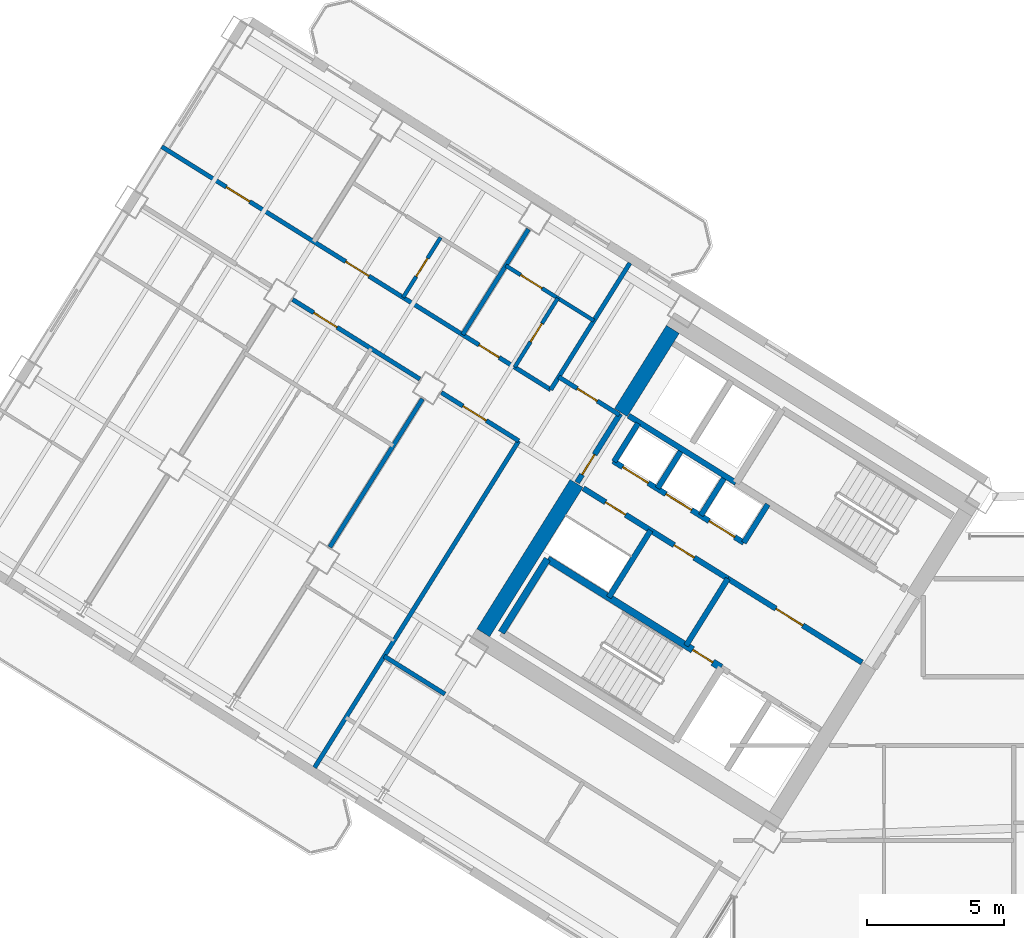
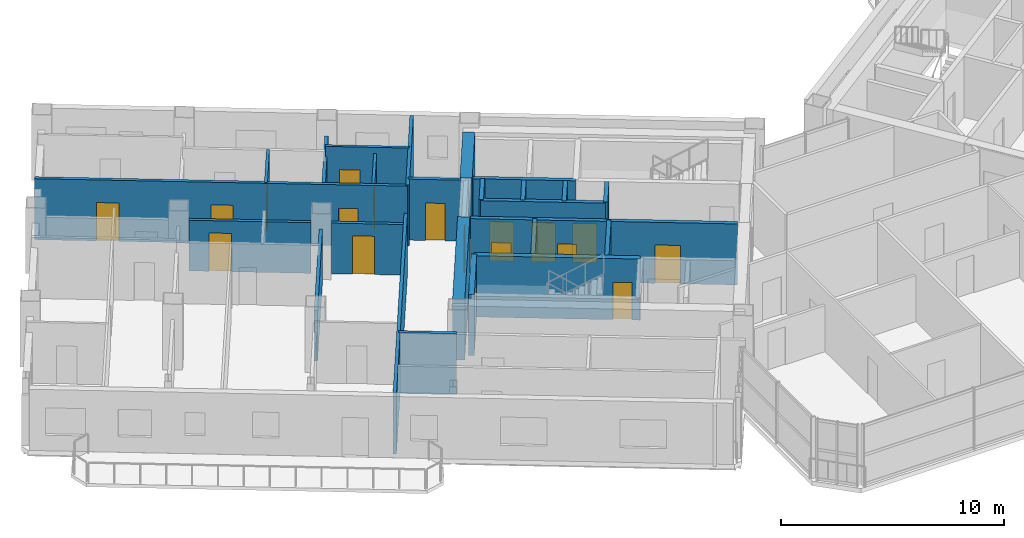
# One storey, part 17 of 25: 27 walls, 17 doors, 17 openings.
"""IFC4 building model written with IfcOpenShell, lengths in metres."""

from ifc_helpers import new_model, si_unit, direction, frame, frame_2d, origin, place, context, subcontext, project, spatial, rectangle, extrude, source, transform, mapped, material, layer, layer_set, type_object, element, fill, save


model = new_model("IFC4")

# Units and contexts
model_context = context("Model", 3, precision=1e-05, world=origin(), true_north=direction((0.0, 1.0)))
body_context = subcontext(model_context, "Body", "Model", "MODEL_VIEW")
ifc_project = project(units=[si_unit("LENGTHUNIT", "METRE"), si_unit("AREAUNIT", "SQUARE_METRE"), si_unit("VOLUMEUNIT", "CUBIC_METRE"), si_unit("PLANEANGLEUNIT", "RADIAN"), si_unit("MASSUNIT", "GRAM", prefix="KILO")], contexts=[model_context])

# Site, building, storey
site_placement = place(None, origin())
site = spatial("IfcSite", under=ifc_project, at=site_placement, CompositionType="ELEMENT")
building_placement = place(site_placement, origin())
building = spatial("IfcBuilding", under=site, at=building_placement, Name="Tlacorven Tower", CompositionType="ELEMENT")
storey_placement = place(building_placement, frame((0.0, 0.0, 162.300048828125)))
storey = spatial("IfcBuildingStorey", under=building, at=storey_placement, Name="L41", CompositionType="ELEMENT", Elevation=162.300048828125)

# Walls
ifc_material_1 = material(Name="Concrete C60/75", Category="concrete")
ifc_layer_1 = layer(ifc_material_1, 0.550048828125)
ifc_layer_set_1 = layer_set([ifc_layer_1], Name="Concrete C60/75")
wall_type_1 = type_object("IfcWallType", Name="WL-COR-550", PredefinedType="SHEAR", material=ifc_layer_set_1)
wall_1_placement = place(storey_placement, frame((29.517333984375, 30.59423828125, 0.0), z_axis=(0.0, 0.0, 1.0), x_axis=(-0.529906864564, -0.848055844204, 0.0)))
element("IfcWall", 1, at=wall_1_placement, inside=storey, type_object=wall_type_1, Name="L41 W core end wall E2.1", PredefinedType="SHEAR", context=body_context, shape_type="SweptSolid", body=[
    extrude(rectangle(XDim=3.5751953125, YDim=0.550048828125, at=frame_2d((1.78759765625, 0.0))), origin(), (0.0, 0.0, 1.0), 3.349853515625),
])
wall_2_placement = place(storey_placement, frame((26.006591796875, 24.975830078125, 0.0), z_axis=(0.0, 0.0, 1.0), x_axis=(-0.529923795287, -0.848045264823, 0.0)))
element("IfcWall", 2, at=wall_2_placement, inside=storey, type_object=wall_type_1, Name="L41 W core end wall E2.2", PredefinedType="SHEAR", context=body_context, shape_type="SweptSolid", body=[
    extrude(rectangle(XDim=6.425048828125, YDim=0.550048828125, at=frame_2d((3.21240234375, 0.0))), origin(), (0.0, 0.0, 1.0), 3.349853515625),
])

# Wall, opening, door
ifc_material_2 = material(Name="Gypsum plasterboard acoustic partition", Category="gypsum")
ifc_layer_2 = layer(ifc_material_2, 0.159912109375)
ifc_layer_set_2 = layer_set([ifc_layer_2], Name="Gypsum plasterboard acoustic partition")
wall_type_2 = type_object("IfcWallType", Name="WL-DEM-160", PredefinedType="PARTITIONING", material=ifc_layer_set_2)
wall_3_placement = place(storey_placement, frame((27.56982421875, 27.4775390625, 0.0), z_axis=(0.0, 0.0, 1.0), x_axis=(-0.848050851465, 0.529914854792, 0.0)))
wall_3 = element("IfcWall", 3, at=wall_3_placement, inside=storey, type_object=wall_type_2, Name="L41 partition 43", PredefinedType="PARTITIONING", context=body_context, shape_type="SweptSolid", body=[
    extrude(rectangle(XDim=2.60986328125, YDim=0.159912109375, at=frame_2d((1.304931640625, 0.0))), origin(), (0.0, 0.0, 1.0), 3.33984375),
])
opening_1_placement = place(wall_3_placement, frame((0.949951171875, 0.0, 0.0)))
opening_1 = element("IfcOpeningElement", 4, at=opening_1_placement, cuts=wall_3, Name="Opening D19", PredefinedType="OPENING", context=body_context, shape_type="SweptSolid", body=[
    extrude(rectangle(XDim=0.860107421875, YDim=2.050048828125, at=frame_2d((0.43017578125, 1.02490234375))), frame((0.0, 0.08984375, 0.0), z_axis=(0.0, -1.0, 0.0), x_axis=(1.0, 0.0, 0.0)), (0.0, 0.0, 1.0), 0.179931640625),
])
ifc_material_3 = material(Name="Fire-rated steel door assembly", Category="steel")
door_type_1 = type_object("IfcDoorType", Name="DR-RSR-FD60-0860", OperationType="NOTDEFINED", PredefinedType="DOOR", material=ifc_material_3)
shared_shape_1 = source(origin(), body_context, "Body", "SweptSolid", [
    extrude(rectangle(XDim=0.860107421875, YDim=2.050048828125, at=frame_2d((0.43017578125, 1.02490234375))), frame((0.0, 0.02490234375, 0.0), z_axis=(0.0, -1.0, 0.0), x_axis=(1.0, 0.0, 0.0)), (0.0, 0.0, 1.0), 0.050048828125),
])
door_1_placement = place(opening_1_placement, frame((0.860107421875, 0.0, 0.0), z_axis=(0.0, 0.0, 1.0), x_axis=(-1.0, 0.0, 0.0)))
door_1 = element("IfcDoor", 5, at=door_1_placement, inside=storey, type_object=door_type_1, Name="L41 door 020", OperationType="SINGLE_SWING_LEFT", OverallHeight=2.050048828125, OverallWidth=0.860107421875, PredefinedType="DOOR", context=body_context, shape_type="MappedRepresentation", body=[
    mapped(shared_shape_1, transform((0.0, 0.0, 0.0), scale=1.0)),
])
fill(opening_1, door_1)

# Walls
wall_4_placement = place(storey_placement, frame((21.20556640625, 17.29248046875, 0.0), z_axis=(0.0, 0.0, 1.0), x_axis=(-0.848050851465, 0.529914854792, 0.0)))
element("IfcWall", 6, at=wall_4_placement, inside=storey, type_object=wall_type_2, Name="L41 partition 44", PredefinedType="PARTITIONING", context=body_context, shape_type="SweptSolid", body=[
    extrude(rectangle(XDim=2.60986328125, YDim=0.159912109375, at=frame_2d((1.304931640625, 0.0))), origin(), (0.0, 0.0, 1.0), 3.33984375),
])
wall_5_placement = place(storey_placement, frame((27.952880859375, 33.01611328125, 0.0), z_axis=(0.0, 0.0, 1.0), x_axis=(-0.529906322364, -0.848056182997, 0.0)))
element("IfcWall", 7, at=wall_5_placement, inside=storey, type_object=wall_type_2, Name="L41 partition 45", PredefinedType="PARTITIONING", context=body_context, shape_type="SweptSolid", body=[
    extrude(rectangle(XDim=5.449951171875, YDim=0.159912109375, at=frame_2d((2.72509765625, 0.0))), origin(), (0.0, 0.0, 1.0), 3.33984375),
])
wall_6_placement = place(storey_placement, frame((23.899169921875, 26.528564453125, 0.0), z_axis=(0.0, 0.0, 1.0), x_axis=(-0.529917716469, -0.848049063305, 0.0)))
element("IfcWall", 8, at=wall_6_placement, inside=storey, type_object=wall_type_2, Name="L41 partition 46", PredefinedType="PARTITIONING", context=body_context, shape_type="SweptSolid", body=[
    extrude(rectangle(XDim=14.050048828125, YDim=0.159912109375, at=frame_2d((7.02490234375, 0.0))), origin(), (0.0, 0.0, 1.0), 3.33984375),
])

# Wall, openings, doors
wall_7_placement = place(storey_placement, frame((25.06494140625, 28.394287109375, 0.0), z_axis=(0.0, 0.0, 1.0), x_axis=(-0.848048310262, 0.529918921593, 0.0)))
wall_7 = element("IfcWall", 9, at=wall_7_placement, inside=storey, type_object=wall_type_2, Name="L41 Wing W Corridor South Wall", PredefinedType="PARTITIONING", context=body_context, shape_type="SweptSolid", body=[
    extrude(rectangle(XDim=16.72998046875, YDim=0.159912109375, at=frame_2d((8.364990234375, 0.0))), origin(), (0.0, 0.0, 1.0), 3.33984375),
])
opening_2_placement = place(wall_7_placement, frame((2.219970703125, 0.0, 0.0)))
opening_2 = element("IfcOpeningElement", 10, at=opening_2_placement, cuts=wall_7, Name="Opening D19", PredefinedType="OPENING", context=body_context, shape_type="SweptSolid", body=[
    extrude(rectangle(XDim=0.860107421875, YDim=2.050048828125, at=frame_2d((0.43017578125, 1.02490234375))), frame((0.0, 0.08984375, 0.0), z_axis=(0.0, -1.0, 0.0), x_axis=(1.0, 0.0, 0.0)), (0.0, 0.0, 1.0), 0.179931640625),
])
opening_3_placement = place(wall_7_placement, frame((7.820068359375, 0.0, 0.0)))
opening_3 = element("IfcOpeningElement", 11, at=opening_3_placement, cuts=wall_7, Name="Opening D11", PredefinedType="OPENING", context=body_context, shape_type="SweptSolid", body=[
    extrude(rectangle(XDim=1.0, YDim=2.10009765625, at=frame_2d((0.5, 1.050048828125))), frame((0.0, 0.08984375, 0.0), z_axis=(0.0, -1.0, 0.0), x_axis=(1.0, 0.0, 0.0)), (0.0, 0.0, 1.0), 0.179931640625),
])
opening_4_placement = place(wall_7_placement, frame((12.949951171875, 0.0, 0.0)))
opening_4 = element("IfcOpeningElement", 12, at=opening_4_placement, cuts=wall_7, Name="Opening D11", PredefinedType="OPENING", context=body_context, shape_type="SweptSolid", body=[
    extrude(rectangle(XDim=1.0, YDim=2.10009765625, at=frame_2d((0.5, 1.050048828125))), frame((0.0, 0.08984375, 0.0), z_axis=(0.0, -1.0, 0.0), x_axis=(1.0, 0.0, 0.0)), (0.0, 0.0, 1.0), 0.179931640625),
])
door_2_placement = place(opening_2_placement, origin())
door_2 = element("IfcDoor", 13, at=door_2_placement, inside=storey, type_object=door_type_1, Name="L41 door 034", OperationType="SINGLE_SWING_RIGHT", OverallHeight=2.050048828125, OverallWidth=0.860107421875, PredefinedType="DOOR", context=body_context, shape_type="MappedRepresentation", body=[
    mapped(shared_shape_1, transform((0.0, 0.0, 0.0), scale=1.0)),
])
fill(opening_2, door_2)
door_type_2 = type_object("IfcDoorType", Name="DR-FLT-FD60-1000", OperationType="NOTDEFINED", PredefinedType="DOOR", material=ifc_material_3)
shared_shape_2 = source(origin(), body_context, "Body", "SweptSolid", [
    extrude(rectangle(XDim=1.0, YDim=2.10009765625, at=frame_2d((0.5, 1.050048828125))), frame((0.0, 0.02490234375, 0.0), z_axis=(0.0, -1.0, 0.0), x_axis=(1.0, 0.0, 0.0)), (0.0, 0.0, 1.0), 0.050048828125),
])
door_3_placement = place(opening_3_placement, origin())
door_3 = element("IfcDoor", 14, at=door_3_placement, inside=storey, type_object=door_type_2, Name="L41 door 037", OperationType="SINGLE_SWING_LEFT", OverallHeight=2.10009765625, OverallWidth=1.0, PredefinedType="DOOR", context=body_context, shape_type="MappedRepresentation", body=[
    mapped(shared_shape_2, transform((0.0, 0.0, 0.0), scale=1.0)),
])
fill(opening_3, door_3)
door_4_placement = place(opening_4_placement, origin())
door_4 = element("IfcDoor", 15, at=door_4_placement, inside=storey, type_object=door_type_2, Name="L41 door 040", OperationType="SINGLE_SWING_RIGHT", OverallHeight=2.10009765625, OverallWidth=1.0, PredefinedType="DOOR", context=body_context, shape_type="MappedRepresentation", body=[
    mapped(shared_shape_2, transform((0.0, 0.0, 0.0), scale=1.0)),
])
fill(opening_4, door_4)

# Wall, opening, door
wall_8_placement = place(storey_placement, frame((23.899169921875, 26.528564453125, 0.0), z_axis=(0.0, 0.0, 1.0), x_axis=(-0.848064240775, 0.529893426567, 0.0)))
wall_8 = element("IfcWall", 16, at=wall_8_placement, inside=storey, type_object=wall_type_2, Name="L41 Wing W Corridor North Wall", PredefinedType="PARTITIONING", context=body_context, shape_type="SweptSolid", body=[
    extrude(rectangle(XDim=3.327880859375, YDim=0.159912109375, at=frame_2d((1.6640625, 0.0))), origin(), (0.0, 0.0, 1.0), 2.77490234375),
])
opening_5_placement = place(wall_8_placement, frame((1.39501953125, 0.0, 0.0)))
opening_5 = element("IfcOpeningElement", 17, at=opening_5_placement, cuts=wall_8, Name="Opening D11", PredefinedType="OPENING", context=body_context, shape_type="SweptSolid", body=[
    extrude(rectangle(XDim=1.0, YDim=2.10009765625, at=frame_2d((0.5, 1.050048828125))), frame((0.0, 0.08984375, 0.0), z_axis=(0.0, -1.0, 0.0), x_axis=(1.0, 0.0, 0.0)), (0.0, 0.0, 1.0), 0.179931640625),
])
door_5_placement = place(opening_5_placement, origin())
door_5 = element("IfcDoor", 18, at=door_5_placement, inside=storey, type_object=door_type_2, Name="L41 door 022", OperationType="SINGLE_SWING_LEFT", OverallHeight=2.10009765625, OverallWidth=1.0, PredefinedType="DOOR", context=body_context, shape_type="MappedRepresentation", body=[
    mapped(shared_shape_2, transform((0.0, 0.0, 0.0), scale=1.0)),
])
fill(opening_5, door_5)

wall_9_placement = place(storey_placement, frame((20.293212890625, 28.78173828125, 0.0), z_axis=(0.0, 0.0, 1.0), x_axis=(-0.848040881926, 0.529930809241, 0.0)))
wall_9 = element("IfcWall", 19, at=wall_9_placement, inside=storey, type_object=wall_type_2, Name="L41 Wing W Corridor North Wall", PredefinedType="PARTITIONING", context=body_context, shape_type="SweptSolid", body=[
    extrude(rectangle(XDim=5.475830078125, YDim=0.159912109375, at=frame_2d((2.73779296875, 0.0))), origin(), (0.0, 0.0, 1.0), 2.77490234375),
])
opening_6_placement = place(wall_9_placement, frame((3.568115234375, 0.0, 0.0)))
opening_6 = element("IfcOpeningElement", 20, at=opening_6_placement, cuts=wall_9, Name="Opening D11", PredefinedType="OPENING", context=body_context, shape_type="SweptSolid", body=[
    extrude(rectangle(XDim=1.0, YDim=2.10009765625, at=frame_2d((0.5, 1.050048828125))), frame((0.0, 0.08984375, 0.0), z_axis=(0.0, -1.0, 0.0), x_axis=(1.0, 0.0, 0.0)), (0.0, 0.0, 1.0), 0.179931640625),
])
door_6_placement = place(opening_6_placement, origin())
door_6 = element("IfcDoor", 21, at=door_6_placement, inside=storey, type_object=door_type_2, Name="L41 door 025", OperationType="SINGLE_SWING_LEFT", OverallHeight=2.10009765625, OverallWidth=1.0, PredefinedType="DOOR", context=body_context, shape_type="MappedRepresentation", body=[
    mapped(shared_shape_2, transform((0.0, 0.0, 0.0), scale=1.0)),
])
fill(opening_6, door_6)

# Walls
wall_10_placement = place(storey_placement, frame((20.38720703125, 28.060302734375, 0.0), z_axis=(0.0, 0.0, 1.0), x_axis=(-0.529902564924, -0.848058530814, 0.0)))
element("IfcWall", 22, at=wall_10_placement, inside=storey, type_object=wall_type_2, Name="L41 WN Demising Wall 1", PredefinedType="PARTITIONING", context=body_context, shape_type="SweptSolid", body=[
    extrude(rectangle(XDim=6.3759765625, YDim=0.159912109375, at=frame_2d((3.18798828125, 0.0))), origin(), (0.0, 0.0, 1.0), 2.77490234375),
])
wall_11_placement = place(storey_placement, frame((24.255615234375, 34.2509765625, 0.0), z_axis=(0.0, 0.0, 1.0), x_axis=(-0.529926399231, -0.848043637673, 0.0)))
element("IfcWall", 23, at=wall_11_placement, inside=storey, type_object=wall_type_2, Name="L41 WS Demising Wall 1", PredefinedType="PARTITIONING", context=body_context, shape_type="SweptSolid", body=[
    extrude(rectangle(XDim=4.537841796875, YDim=0.159912109375, at=frame_2d((2.26904296875, 0.0))), origin(), (0.0, 0.0, 1.0), 2.77490234375),
])

# Wall, opening, door
ifc_material_4 = material(Name="Moisture-resistant gypsum plumbing wall", Category="gypsum")
ifc_layer_3 = layer(ifc_material_4, 0.139892578125)
ifc_layer_set_3 = layer_set([ifc_layer_3], Name="Moisture-resistant gypsum plumbing wall")
wall_type_3 = type_object("IfcWallType", Name="WL-PLM-140", PredefinedType="PLUMBINGWALL", material=ifc_layer_set_3)
wall_12_placement = place(storey_placement, frame((26.638916015625, 30.912841796875, 0.0), z_axis=(0.0, 0.0, 1.0), x_axis=(-0.84803087207, 0.529946827537, 0.0)))
wall_12 = element("IfcWall", 24, at=wall_12_placement, inside=storey, type_object=wall_type_3, Name="L41 partition 62", PredefinedType="PLUMBINGWALL", context=body_context, shape_type="SweptSolid", body=[
    extrude(rectangle(XDim=3.7900390625, YDim=0.139892578125, at=frame_2d((1.89501953125, 0.0))), origin(), (0.0, 0.0, 1.0), 3.33984375),
])
opening_7_placement = place(wall_12_placement, frame((2.22998046875, 0.0, 0.0)))
opening_7 = element("IfcOpeningElement", 25, at=opening_7_placement, cuts=wall_12, Name="Opening D12", PredefinedType="OPENING", context=body_context, shape_type="SweptSolid", body=[
    extrude(rectangle(XDim=0.919921875, YDim=2.080078125, at=frame_2d((0.4599609375, 1.0400390625))), frame((0.0, 0.080078125, 0.0), z_axis=(0.0, -1.0, 0.0), x_axis=(1.0, 0.0, 0.0)), (0.0, 0.0, 1.0), 0.159912109375),
])
ifc_material_5 = material(Name="Powder-coated aluminium and timber door", Category="wood")
door_type_3 = type_object("IfcDoorType", Name="DR-INT-ROOM-0920", OperationType="NOTDEFINED", PredefinedType="DOOR", material=ifc_material_5)
shared_shape_3 = source(origin(), body_context, "Body", "SweptSolid", [
    extrude(rectangle(XDim=0.919921875, YDim=2.080078125, at=frame_2d((0.4599609375, 1.0400390625))), frame((0.0, 0.02490234375, 0.0), z_axis=(0.0, -1.0, 0.0), x_axis=(1.0, 0.0, 0.0)), (0.0, 0.0, 1.0), 0.050048828125),
])
door_7_placement = place(opening_7_placement, origin())
door_7 = element("IfcDoor", 26, at=door_7_placement, inside=storey, type_object=door_type_3, Name="L41 door 035", OperationType="SINGLE_SWING_LEFT", OverallHeight=2.080078125, OverallWidth=0.919921875, PredefinedType="DOOR", context=body_context, shape_type="MappedRepresentation", body=[
    mapped(shared_shape_3, transform((0.0, 0.0, 0.0), scale=1.0)),
])
fill(opening_7, door_7)

wall_13_placement = place(storey_placement, frame((25.32421875, 31.734375, 0.0), z_axis=(0.0, 0.0, 1.0), x_axis=(-0.529873322326, -0.848076802116, 0.0)))
wall_13 = element("IfcWall", 27, at=wall_13_placement, inside=storey, type_object=wall_type_3, Name="L41 partition 63", PredefinedType="PLUMBINGWALL", context=body_context, shape_type="SweptSolid", body=[
    extrude(rectangle(XDim=2.969970703125, YDim=0.139892578125, at=frame_2d((1.48486328125, 0.0))), origin(), (0.0, 0.0, 1.0), 2.994873046875),
])
opening_8_placement = place(wall_13_placement, frame((1.094970703125, 0.0, 0.0)))
opening_8 = element("IfcOpeningElement", 28, at=opening_8_placement, cuts=wall_13, Name="Opening D22", PredefinedType="OPENING", context=body_context, shape_type="SweptSolid", body=[
    extrude(rectangle(XDim=0.780029296875, YDim=2.050048828125, at=frame_2d((0.39013671875, 1.02490234375))), frame((0.0, 0.080078125, 0.0), z_axis=(0.0, -1.0, 0.0), x_axis=(1.0, 0.0, 0.0)), (0.0, 0.0, 1.0), 0.159912109375),
])
door_type_4 = type_object("IfcDoorType", Name="DR-INT-WET-0780", OperationType="NOTDEFINED", PredefinedType="DOOR", material=ifc_material_5)
shared_shape_4 = source(origin(), body_context, "Body", "SweptSolid", [
    extrude(rectangle(XDim=0.780029296875, YDim=2.050048828125, at=frame_2d((0.39013671875, 1.02490234375))), frame((0.0, 0.02490234375, 0.0), z_axis=(0.0, -1.0, 0.0), x_axis=(1.0, 0.0, 0.0)), (0.0, 0.0, 1.0), 0.050048828125),
])
door_8_placement = place(opening_8_placement, origin())
door_8 = element("IfcDoor", 29, at=door_8_placement, inside=storey, type_object=door_type_4, Name="L41 door 036", OperationType="SINGLE_SWING_RIGHT", OverallHeight=2.050048828125, OverallWidth=0.780029296875, PredefinedType="DOOR", context=body_context, shape_type="MappedRepresentation", body=[
    mapped(shared_shape_4, transform((0.0, 0.0, 0.0), scale=1.0)),
])
fill(opening_8, door_8)

wall_14_placement = place(storey_placement, frame((21.047119140625, 33.947265625, 0.0), z_axis=(0.0, 0.0, 1.0), x_axis=(-0.529913878929, -0.848051461244, 0.0)))
wall_14 = element("IfcWall", 30, at=wall_14_placement, inside=storey, type_object=wall_type_3, Name="L41 partition 66", PredefinedType="PLUMBINGWALL", context=body_context, shape_type="SweptSolid", body=[
    extrude(rectangle(XDim=2.580078125, YDim=0.139892578125, at=frame_2d((1.2900390625, 0.0))), origin(), (0.0, 0.0, 1.0), 3.33984375),
])
opening_9_placement = place(wall_14_placement, frame((0.89990234375, 0.0, 0.0)))
opening_9 = element("IfcOpeningElement", 31, at=opening_9_placement, cuts=wall_14, Name="Opening D22", PredefinedType="OPENING", context=body_context, shape_type="SweptSolid", body=[
    extrude(rectangle(XDim=0.780029296875, YDim=2.050048828125, at=frame_2d((0.39013671875, 1.02490234375))), frame((0.0, 0.080078125, 0.0), z_axis=(0.0, -1.0, 0.0), x_axis=(1.0, 0.0, 0.0)), (0.0, 0.0, 1.0), 0.159912109375),
])
door_9_placement = place(opening_9_placement, origin())
door_9 = element("IfcDoor", 32, at=door_9_placement, inside=storey, type_object=door_type_4, Name="L41 door 039", OperationType="SINGLE_SWING_LEFT", OverallHeight=2.050048828125, OverallWidth=0.780029296875, PredefinedType="DOOR", context=body_context, shape_type="MappedRepresentation", body=[
    mapped(shared_shape_4, transform((0.0, 0.0, 0.0), scale=1.0)),
])
fill(opening_9, door_9)

ifc_material_6 = material(Name="Concrete C40/50", Category="concrete")
ifc_layer_4 = layer(ifc_material_6, 0.199951171875)
ifc_layer_set_4 = layer_set([ifc_layer_4], Name="Concrete C40/50")
wall_type_4 = type_object("IfcWallType", Name="WL-SHF-200", PredefinedType="STANDARD", material=ifc_layer_set_4)
wall_15_placement = place(storey_placement, frame((36.416748046875, 18.447265625, 0.0), z_axis=(0.0, 0.0, 1.0), x_axis=(-0.848064879198, 0.529892404805, 0.0)))
wall_15 = element("IfcWall", 33, at=wall_15_placement, inside=storey, type_object=wall_type_4, Name="L41 Core W Smoke Lobby Wall", PredefinedType="STANDARD", context=body_context, shape_type="SweptSolid", body=[
    extrude(rectangle(XDim=5.76806640625, YDim=0.199951171875, at=frame_2d((2.884033203125, 0.0))), origin(), (0.0, 0.0, 1.0), 3.33984375),
])
opening_10_placement = place(wall_15_placement, frame((2.548095703125, 0.0, 0.0)))
opening_10 = element("IfcOpeningElement", 34, at=opening_10_placement, cuts=wall_15, Name="Opening D09", PredefinedType="OPENING", context=body_context, shape_type="SweptSolid", body=[
    extrude(rectangle(XDim=1.14990234375, YDim=2.10009765625, at=frame_2d((0.574951171875, 1.050048828125))), frame((0.0, 0.10986328125, 0.0), z_axis=(0.0, -1.0, 0.0), x_axis=(1.0, 0.0, 0.0)), (0.0, 0.0, 1.0), 0.219970703125),
])
door_type_5 = type_object("IfcDoorType", Name="DR-FFL-FD60-1150", OperationType="NOTDEFINED", PredefinedType="DOOR", material=ifc_material_3)
shared_shape_5 = source(origin(), body_context, "Body", "SweptSolid", [
    extrude(rectangle(XDim=1.14990234375, YDim=2.10009765625, at=frame_2d((0.574951171875, 1.050048828125))), frame((0.0, 0.02490234375, 0.0), z_axis=(0.0, -1.0, 0.0), x_axis=(1.0, 0.0, 0.0)), (0.0, 0.0, 1.0), 0.050048828125),
])
door_10_placement = place(opening_10_placement, origin())
door_10 = element("IfcDoor", 35, at=door_10_placement, inside=storey, type_object=door_type_5, Name="L41 Firefighting Lobby W Fire Door", OperationType="SINGLE_SWING_LEFT", OverallHeight=2.10009765625, OverallWidth=1.14990234375, PredefinedType="DOOR", context=body_context, shape_type="MappedRepresentation", body=[
    mapped(shared_shape_5, transform((0.0, 0.0, 0.0), scale=1.0)),
])
fill(opening_10, door_10)

# Wall
wall_16_placement = place(storey_placement, frame((31.82177734375, 24.99755859375, 0.0), z_axis=(0.0, 0.0, 1.0), x_axis=(-0.848036912365, 0.52993716162, 0.0)))
element("IfcWall", 36, at=wall_16_placement, inside=storey, type_object=wall_type_4, Name="L41 Core W South Lift Shaft Wall", PredefinedType="STANDARD", context=body_context, shape_type="SweptSolid", body=[
    extrude(rectangle(XDim=4.617919921875, YDim=0.199951171875, at=frame_2d((2.30908203125, 0.0))), origin(), (0.0, 0.0, 1.0), 3.33984375),
])

# Wall, openings, doors
wall_17_placement = place(storey_placement, frame((32.108154296875, 22.81396484375, 0.0), z_axis=(0.0, 0.0, 1.0), x_axis=(-0.848042229521, 0.529928652696, 0.0)))
wall_17 = element("IfcWall", 37, at=wall_17_placement, inside=storey, type_object=wall_type_4, Name="L41 partition 11", PredefinedType="STANDARD", context=body_context, shape_type="SweptSolid", body=[
    extrude(rectangle(XDim=5.6201171875, YDim=0.199951171875, at=frame_2d((2.81005859375, 0.0))), origin(), (0.0, 0.0, 1.0), 3.33984375),
])
opening_11_placement = place(wall_17_placement, frame((0.389892578125, 0.0, 0.0)))
opening_11 = element("IfcOpeningElement", 38, at=opening_11_placement, cuts=wall_17, Name="Opening LD01", PredefinedType="OPENING", context=body_context, shape_type="SweptSolid", body=[
    extrude(rectangle(XDim=1.10009765625, YDim=2.14990234375, at=frame_2d((0.550048828125, 1.074951171875))), frame((0.0, 0.10986328125, 0.0), z_axis=(0.0, -1.0, 0.0), x_axis=(1.0, 0.0, 0.0)), (0.0, 0.0, 1.0), 0.219970703125),
])
opening_12_placement = place(wall_17_placement, frame((2.25, 0.0, 0.0)))
opening_12 = element("IfcOpeningElement", 39, at=opening_12_placement, cuts=wall_17, Name="Opening LD01", PredefinedType="OPENING", context=body_context, shape_type="SweptSolid", body=[
    extrude(rectangle(XDim=1.10009765625, YDim=2.14990234375, at=frame_2d((0.550048828125, 1.074951171875))), frame((0.0, 0.10986328125, 0.0), z_axis=(0.0, -1.0, 0.0), x_axis=(1.0, 0.0, 0.0)), (0.0, 0.0, 1.0), 0.219970703125),
])
opening_13_placement = place(wall_17_placement, frame((4.110107421875, 0.0, 0.0)))
opening_13 = element("IfcOpeningElement", 40, at=opening_13_placement, cuts=wall_17, Name="Opening LD01", PredefinedType="OPENING", context=body_context, shape_type="SweptSolid", body=[
    extrude(rectangle(XDim=1.10009765625, YDim=2.14990234375, at=frame_2d((0.550048828125, 1.074951171875))), frame((0.0, 0.10986328125, 0.0), z_axis=(0.0, -1.0, 0.0), x_axis=(1.0, 0.0, 0.0)), (0.0, 0.0, 1.0), 0.219970703125),
])
door_type_6 = type_object("IfcDoorType", Name="DR-LFT-SLID-1100", OperationType="DOUBLE_DOOR_SLIDING", PredefinedType="DOOR", material=ifc_material_3)
shared_shape_6 = source(origin(), body_context, "Body", "SweptSolid", [
    extrude(rectangle(XDim=1.10009765625, YDim=2.14990234375, at=frame_2d((0.550048828125, 1.074951171875))), frame((0.0, 0.02490234375, 0.0), z_axis=(0.0, -1.0, 0.0), x_axis=(1.0, 0.0, 0.0)), (0.0, 0.0, 1.0), 0.050048828125),
])
door_11_placement = place(opening_11_placement, origin())
door_11 = element("IfcDoor", 41, at=door_11_placement, inside=storey, type_object=door_type_6, Name="L41 Lift PL-M1 Sliding Landing Door", OperationType="DOUBLE_DOOR_SLIDING", OverallHeight=2.14990234375, OverallWidth=1.10009765625, PredefinedType="DOOR", context=body_context, shape_type="MappedRepresentation", body=[
    mapped(shared_shape_6, transform((0.0, 0.0, 0.0), scale=1.0)),
])
fill(opening_11, door_11)
door_12_placement = place(opening_12_placement, origin())
door_12 = element("IfcDoor", 42, at=door_12_placement, inside=storey, type_object=door_type_6, Name="L41 Lift PL-M2 Sliding Landing Door", OperationType="DOUBLE_DOOR_SLIDING", OverallHeight=2.14990234375, OverallWidth=1.10009765625, PredefinedType="DOOR", context=body_context, shape_type="MappedRepresentation", body=[
    mapped(shared_shape_6, transform((0.0, 0.0, 0.0), scale=1.0)),
])
fill(opening_12, door_12)
door_13_placement = place(opening_13_placement, origin())
door_13 = element("IfcDoor", 43, at=door_13_placement, inside=storey, type_object=door_type_6, Name="L41 Lift PL-M3 Sliding Landing Door", OperationType="DOUBLE_DOOR_SLIDING", OverallHeight=2.14990234375, OverallWidth=1.10009765625, PredefinedType="DOOR", context=body_context, shape_type="MappedRepresentation", body=[
    mapped(shared_shape_6, transform((0.0, 0.0, 0.0), scale=1.0)),
])
fill(opening_13, door_13)

# Walls
wall_18_placement = place(storey_placement, frame((32.982421875, 24.21337890625, 0.0), z_axis=(0.0, 0.0, 1.0), x_axis=(-0.529839334948, -0.84809803628, 0.0)))
element("IfcWall", 44, at=wall_18_placement, inside=storey, type_object=wall_type_4, Name="L41 partition 12", PredefinedType="STANDARD", context=body_context, shape_type="SweptSolid", body=[
    extrude(rectangle(XDim=1.650146484375, YDim=0.199951171875, at=frame_2d((0.8251953125, 0.0))), origin(), (0.0, 0.0, 1.0), 3.33984375),
])
wall_19_placement = place(storey_placement, frame((28.250244140625, 27.170166015625, 0.0), z_axis=(0.0, 0.0, 1.0), x_axis=(-0.529905827651, -0.848056492117, 0.0)))
element("IfcWall", 45, at=wall_19_placement, inside=storey, type_object=wall_type_4, Name="L41 partition 13", PredefinedType="STANDARD", context=body_context, shape_type="SweptSolid", body=[
    extrude(rectangle(XDim=1.64990234375, YDim=0.199951171875, at=frame_2d((0.824951171875, 0.0))), origin(), (0.0, 0.0, 1.0), 3.33984375),
])
for number, where, z_axis, x_axis, name in (
    (46, (31.378662109375, 25.156494140625, 0.0), (0.0, 0.0, 1.0), (-0.529998940003, -0.847998304005, 0.0), "L41 partition 18"),
    (47, (29.80126953125, 26.14208984375, 0.0), (0.0, 0.0, 1.0), (-0.529998940003, -0.847998304005, 0.0), "L41 partition 19"),
):
    element("IfcWall", number, at=place(storey_placement, frame(where, z_axis=z_axis, x_axis=x_axis)), inside=storey, type_object=wall_type_4, Name=name, PredefinedType="STANDARD", context=body_context, shape_type="SweptSolid", body=[
        extrude(rectangle(XDim=1.580078125, YDim=0.199951171875, at=frame_2d((0.7900390625, 0.0))), origin(), (0.0, 0.0, 1.0), 3.33984375),
    ])
for number, where, z_axis, x_axis, name in (
    (48, (31.525146484375, 21.503662109375, 0.0), (0.0, 0.0, 1.0), (-0.529907497854, -0.848055448493, 0.0), "L41 partition 20"),
    (49, (28.709716796875, 23.26318359375, 0.0), (0.0, 0.0, 1.0), (-0.529907497854, -0.848055448493, 0.0), "L41 partition 21"),
):
    element("IfcWall", number, at=place(storey_placement, frame(where, z_axis=z_axis, x_axis=x_axis)), inside=storey, type_object=wall_type_4, Name=name, PredefinedType="STANDARD", context=body_context, shape_type="SweptSolid", body=[
        extrude(rectangle(XDim=2.8798828125, YDim=0.199951171875, at=frame_2d((1.43994140625, 0.0))), origin(), (0.0, 0.0, 1.0), 3.33984375),
    ])

# Wall, openings, doors
wall_20_placement = place(storey_placement, frame((31.525146484375, 21.503662109375, 0.0), z_axis=(0.0, 0.0, 1.0), x_axis=(-0.848040211232, 0.529931882541, 0.0)))
wall_20 = element("IfcWall", 50, at=wall_20_placement, inside=storey, type_object=wall_type_4, Name="L41 Core W North Service Wall", PredefinedType="STANDARD", context=body_context, shape_type="SweptSolid", body=[
    extrude(rectangle(XDim=6.218017578125, YDim=0.199951171875, at=frame_2d((3.10888671875, 0.0))), origin(), (0.0, 0.0, 1.0), 3.33984375),
])
opening_14_placement = place(wall_20_placement, frame((4.39990234375, 0.0, 0.0)))
opening_14 = element("IfcOpeningElement", 51, at=opening_14_placement, cuts=wall_20, Name="Opening D19", PredefinedType="OPENING", context=body_context, shape_type="SweptSolid", body=[
    extrude(rectangle(XDim=0.860107421875, YDim=2.050048828125, at=frame_2d((0.43017578125, 1.02490234375))), frame((0.0, 0.10986328125, 0.0), z_axis=(0.0, -1.0, 0.0), x_axis=(1.0, 0.0, 0.0)), (0.0, 0.0, 1.0), 0.219970703125),
])
opening_15_placement = place(wall_20_placement, frame((1.449951171875, 0.0, 0.0)))
opening_15 = element("IfcOpeningElement", 52, at=opening_15_placement, cuts=wall_20, Name="Opening D19", PredefinedType="OPENING", context=body_context, shape_type="SweptSolid", body=[
    extrude(rectangle(XDim=0.860107421875, YDim=2.050048828125, at=frame_2d((0.43017578125, 1.02490234375))), frame((0.0, 0.10986328125, 0.0), z_axis=(0.0, -1.0, 0.0), x_axis=(1.0, 0.0, 0.0)), (0.0, 0.0, 1.0), 0.219970703125),
])
door_14_placement = place(opening_14_placement, frame((0.860107421875, 0.0, 0.0), z_axis=(0.0, 0.0, 1.0), x_axis=(-1.0, 0.0, 0.0)))
door_14 = element("IfcDoor", 53, at=door_14_placement, inside=storey, type_object=door_type_1, Name="L41 Electrical Riser Access Door W", OperationType="SINGLE_SWING_RIGHT", OverallHeight=2.050048828125, OverallWidth=0.860107421875, PredefinedType="DOOR", context=body_context, shape_type="MappedRepresentation", body=[
    mapped(shared_shape_1, transform((0.0, 0.0, 0.0), scale=1.0)),
])
fill(opening_14, door_14)
door_15_placement = place(opening_15_placement, frame((0.860107421875, 0.0, 0.0), z_axis=(0.0, 0.0, 1.0), x_axis=(-1.0, 0.0, 0.0)))
door_15 = element("IfcDoor", 54, at=door_15_placement, inside=storey, type_object=door_type_1, Name="L41 Housekeeping Linen Access Door W", OperationType="SINGLE_SWING_LEFT", OverallHeight=2.050048828125, OverallWidth=0.860107421875, PredefinedType="DOOR", context=body_context, shape_type="MappedRepresentation", body=[
    mapped(shared_shape_1, transform((0.0, 0.0, 0.0), scale=1.0)),
])
fill(opening_15, door_15)

# Wall, opening, door
wall_21_placement = place(storey_placement, frame((27.59619140625, 27.52001953125, 0.0), z_axis=(0.0, 0.0, 1.0), x_axis=(-0.529865479138, -0.848081702443, 0.0)))
wall_21 = element("IfcWall", 55, at=wall_21_placement, inside=storey, type_object=wall_type_4, Name="L41 partition 42", PredefinedType="STANDARD", context=body_context, shape_type="SweptSolid", body=[
    extrude(rectangle(XDim=2.9599609375, YDim=0.199951171875, at=frame_2d((1.47998046875, 0.0))), origin(), (0.0, 0.0, 1.0), 3.33984375),
])
opening_16_placement = place(wall_21_placement, frame((1.760009765625, 0.0, 0.0)))
opening_16 = element("IfcOpeningElement", 56, at=opening_16_placement, cuts=wall_21, Name="Opening D19", PredefinedType="OPENING", context=body_context, shape_type="SweptSolid", body=[
    extrude(rectangle(XDim=0.860107421875, YDim=2.050048828125, at=frame_2d((0.43017578125, 1.02490234375))), frame((0.0, 0.10986328125, 0.0), z_axis=(0.0, -1.0, 0.0), x_axis=(1.0, 0.0, 0.0)), (0.0, 0.0, 1.0), 0.219970703125),
])
door_16_placement = place(opening_16_placement, origin())
door_16 = element("IfcDoor", 57, at=door_16_placement, inside=storey, type_object=door_type_1, Name="L41 door 021", OperationType="SINGLE_SWING_LEFT", OverallHeight=2.050048828125, OverallWidth=0.860107421875, PredefinedType="DOOR", context=body_context, shape_type="MappedRepresentation", body=[
    mapped(shared_shape_1, transform((0.0, 0.0, 0.0), scale=1.0)),
])
fill(opening_16, door_16)

ifc_material_7 = material(Name="Concrete C50/60", Category="concrete")
ifc_layer_5 = layer(ifc_material_7, 0.260009765625)
ifc_layer_set_5 = layer_set([ifc_layer_5], Name="Concrete C50/60")
wall_type_5 = type_object("IfcWallType", Name="WL-STW-260", PredefinedType="SHEAR", material=ifc_layer_set_5)
wall_22_placement = place(storey_placement, frame((31.279541015625, 18.26123046875, 0.0), z_axis=(0.0, 0.0, 1.0), x_axis=(-0.848051618787, 0.529913626805, 0.0)))
wall_22 = element("IfcWall", 58, at=wall_22_placement, inside=storey, type_object=wall_type_5, Name="L41 Stair W1 Lobby Shear Wall", PredefinedType="SHEAR", context=body_context, shape_type="SweptSolid", body=[
    extrude(rectangle(XDim=7.4599609375, YDim=0.260009765625, at=frame_2d((3.72998046875, 0.0))), origin(), (0.0, 0.0, 1.0), 3.349853515625),
])
opening_17_placement = place(wall_22_placement, frame((0.360107421875, 0.0, 0.0)))
opening_17 = element("IfcOpeningElement", 59, at=opening_17_placement, cuts=wall_22, Name="Opening D19", PredefinedType="OPENING", context=body_context, shape_type="SweptSolid", body=[
    extrude(rectangle(XDim=0.860107421875, YDim=2.050048828125, at=frame_2d((0.43017578125, 1.02490234375))), frame((0.0, 0.14013671875, 0.0), z_axis=(0.0, -1.0, 0.0), x_axis=(1.0, 0.0, 0.0)), (0.0, 0.0, 1.0), 0.280029296875),
])
door_17_placement = place(opening_17_placement, frame((0.860107421875, 0.0, 0.0), z_axis=(0.0, 0.0, 1.0), x_axis=(-1.0, 0.0, 0.0)))
door_17 = element("IfcDoor", 60, at=door_17_placement, inside=storey, type_object=door_type_1, Name="L41 Exit Stair W1 Fire Door", OperationType="SINGLE_SWING_LEFT", OverallHeight=2.050048828125, OverallWidth=0.860107421875, PredefinedType="DOOR", context=body_context, shape_type="MappedRepresentation", body=[
    mapped(shared_shape_1, transform((0.0, 0.0, 0.0), scale=1.0)),
])
fill(opening_17, door_17)

# Wall
wall_23_placement = place(storey_placement, frame((24.944580078125, 22.2197265625, 0.0), z_axis=(0.0, 0.0, 1.0), x_axis=(-0.529908658664, -0.84805472316, 0.0)))
element("IfcWall", 61, at=wall_23_placement, inside=storey, type_object=wall_type_5, Name="L41 Stair W1 East Shear Wall", PredefinedType="SHEAR", context=body_context, shape_type="SweptSolid", body=[
    extrude(rectangle(XDim=3.16015625, YDim=0.260009765625, at=frame_2d((1.580078125, 0.0))), origin(), (0.0, 0.0, 1.0), 3.349853515625),
])

save(model, "model.ifc")
